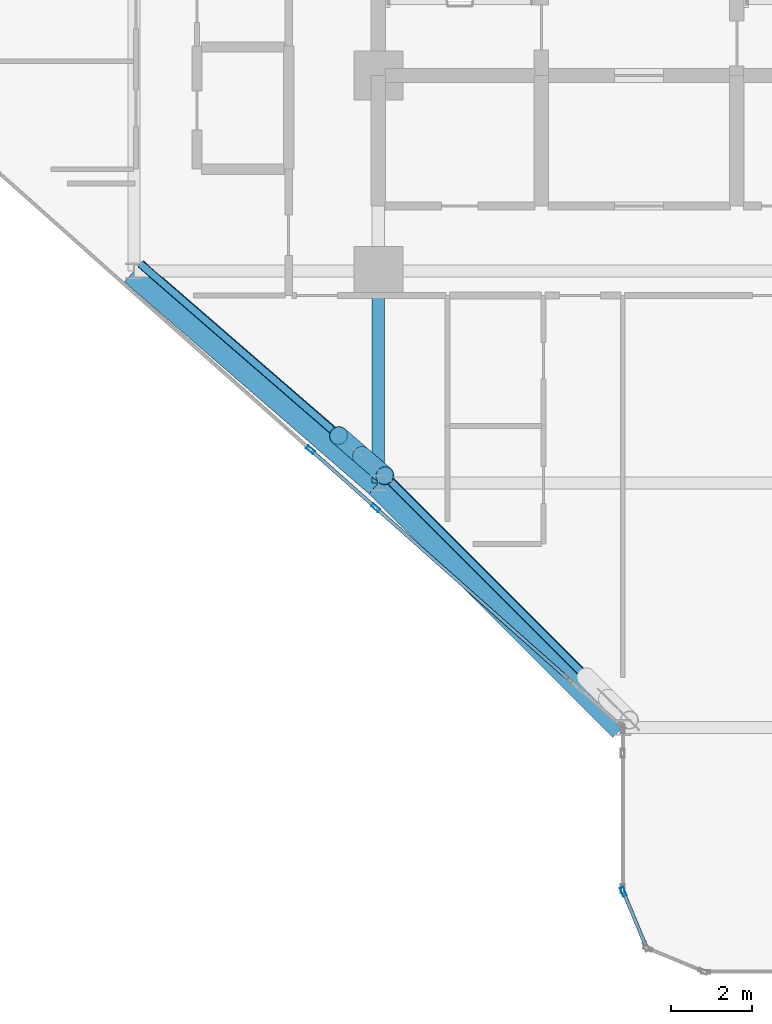
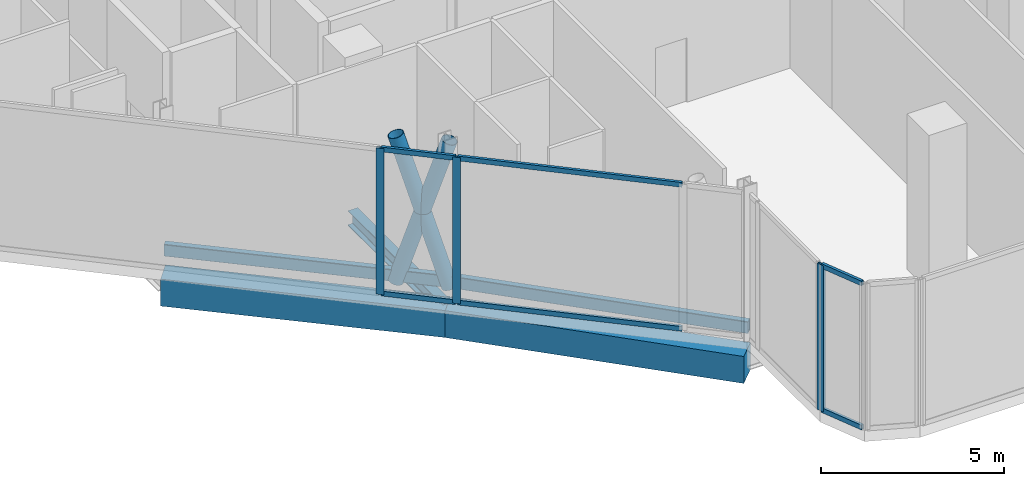
# One storey, part 3 of 36: 14 members, 3 beams, 3 elements without a shape of their own.
"""IFC4 building model written with IfcOpenShell, lengths in metres."""

from ifc_helpers import new_model, si_unit, direction, frame, origin, origin_2d, place, context, subcontext, project, spatial, rectangle, hollow_rectangle, hollow_circle, i_section, extrude, material, layer, layer_set, material_profile, profile_set, type_object, element, aggregate, save


model = new_model("IFC4")

# Units and contexts
model_context = context("Model", 3, precision=1e-05, world=origin(), true_north=direction((0.0, 1.0)))
body_context = subcontext(model_context, "Body", "Model", "MODEL_VIEW")
ifc_project = project(units=[si_unit("LENGTHUNIT", "METRE"), si_unit("AREAUNIT", "SQUARE_METRE"), si_unit("VOLUMEUNIT", "CUBIC_METRE"), si_unit("PLANEANGLEUNIT", "RADIAN"), si_unit("MASSUNIT", "GRAM", prefix="KILO")], contexts=[model_context])

# Site, building, storey
site_placement = place(None, origin())
site = spatial("IfcSite", under=ifc_project, at=site_placement, CompositionType="ELEMENT")
building_placement = place(site_placement, origin())
building = spatial("IfcBuilding", under=site, at=building_placement, Name="Keshet Zoharim Tower", CompositionType="ELEMENT")
storey_placement = place(building_placement, frame((0.0, 0.0, 81.199951171875)))
storey = spatial("IfcBuildingStorey", under=building, at=storey_placement, Name="L19", CompositionType="ELEMENT", Elevation=81.199951171875)

# Beams
ifc_material_1 = material(Name="Concrete C60/75", Category="concrete")
ifc_material_profile_1 = material_profile(ifc_material_1, rectangle(XDim=0.699951171875, YDim=0.89990234375, at=origin_2d()), Name="RC900x700")
ifc_profile_set_1 = profile_set([ifc_material_profile_1], Name="Concrete C60/75")
beam_type_1 = type_object("IfcBeamType", Name="BM-SPN-900", PredefinedType="SPANDREL", material=ifc_profile_set_1)
beam_1_placement = place(storey_placement, frame((21.0, 6.699951171875, -0.869873046875), z_axis=(-0.707106781187, 0.707106781187, 0.0), x_axis=(-0.707106781187, -0.707106781187, 0.0)))
element("IfcBeam", 1, at=beam_1_placement, inside=storey, type_object=beam_type_1, Name="L19 Perimeter Spandrel Beam 01", PredefinedType="SPANDREL", context=body_context, shape_type="SweptSolid", body=[
    extrude(rectangle(XDim=0.699951171875, YDim=0.89990234375, at=origin_2d()), origin(), (0.0, 0.0, 1.0), 8.4853515625),
])
beam_2_placement = place(storey_placement, frame((9.0, 17.89990234375, -0.869873046875), z_axis=(0.755692126483, -0.654927026447, 0.0), x_axis=(0.654927026447, 0.755692126483, 0.0)))
element("IfcBeam", 2, at=beam_2_placement, inside=storey, type_object=beam_type_1, Name="L19 Perimeter Spandrel Beam 02", PredefinedType="SPANDREL", context=body_context, shape_type="SweptSolid", body=[
    extrude(rectangle(XDim=0.699951171875, YDim=0.89990234375, at=origin_2d()), origin(), (0.0, 0.0, 1.0), 7.939697265625),
])
ifc_material_2 = material(Name="Steel S355", Category="steel")
ifc_material_profile_2 = material_profile(ifc_material_2, i_section(OverallWidth=0.300048828125, OverallDepth=0.5, WebThickness=0.014404296875, FlangeThickness=0.028076171875, FilletRadius=0.027099609375, at=origin_2d()), Name="HEB500")
ifc_profile_set_2 = profile_set([ifc_material_profile_2], Name="Steel S355")
beam_type_2 = type_object("IfcBeamType", Name="BM-WEB-HB500", PredefinedType="BEAM", material=ifc_profile_set_2)
beam_3_placement = place(storey_placement, frame((15.0, 12.699951171875, -0.669921875), z_axis=(0.0, 1.0, 0.0), x_axis=(-1.0, 0.0, 0.0)))
element("IfcBeam", 3, at=beam_3_placement, inside=storey, type_object=beam_type_2, Name="L19 Primary Girder Y-002", PredefinedType="BEAM", context=body_context, shape_type="SweptSolid", body=[
    extrude(i_section(OverallWidth=0.300048828125, OverallDepth=0.5, WebThickness=0.014404296875, FlangeThickness=0.028076171875, FilletRadius=0.027099609375, at=origin_2d()), origin(), (0.0, 0.0, 1.0), 5.199951171875),
])

# Curtain wall, member
ifc_material_3 = material(Name="Aluminium 6063-T6", Category="aluminium")
ifc_layer = layer(ifc_material_3, 0.179931640625)
ifc_layer_set = layer_set([ifc_layer], Name="Aluminium 6063-T6")
curtain_wall_type = type_object("IfcCurtainWallType", Name="CW-SYS-01", PredefinedType="NOTDEFINED", material=ifc_layer_set)
curtain_wall_1_placement = place(storey_placement, origin())
curtain_wall_1 = element("IfcCurtainWall", 4, at=curtain_wall_1_placement, inside=storey, type_object=curtain_wall_type, Name="L19 Unitised Curtain Wall 01 Part 2", PredefinedType="NOTDEFINED")
ifc_material_profile_3 = material_profile(ifc_material_3, hollow_rectangle(XDim=0.090087890625, YDim=0.219970703125, WallThickness=0.0048828125, at=origin_2d()), Name="MUL-90x220")
ifc_profile_set_3 = profile_set([ifc_material_profile_3], Name="Aluminium 6063-T6")
member_type_1 = type_object("IfcMemberType", Name="CWM-M22", PredefinedType="MULLION", material=ifc_profile_set_3)
member_1_placement = place(storey_placement, frame((14.93310546875, 12.0927734375, 0.0), z_axis=(0.0, 0.0, 1.0), x_axis=(-0.664360899887, -0.747411931067, 0.0)))
member_1 = element("IfcMember", 5, at=member_1_placement, type_object=member_type_1, Name="CW-01 mullion 2", PredefinedType="MULLION", context=body_context, shape_type="SweptSolid", body=[
    extrude(hollow_rectangle(XDim=0.090087890625, YDim=0.219970703125, WallThickness=0.0048828125, at=origin_2d()), origin(), (0.0, 0.0, 1.0), 4.885009765625),
])

curtain_wall_2_placement = place(storey_placement, origin())
curtain_wall_2 = element("IfcCurtainWall", 6, at=curtain_wall_2_placement, inside=storey, type_object=curtain_wall_type, Name="L19 Unitised Curtain Wall 01 Part 3", PredefinedType="NOTDEFINED")
member_2_placement = place(storey_placement, frame((13.3359375, 13.512451171875, 0.0), z_axis=(0.0, 0.0, 1.0), x_axis=(-0.664352219793, -0.747419646555, 0.0)))
member_2 = element("IfcMember", 7, at=member_2_placement, type_object=member_type_1, Name="CW-01 mullion 2", PredefinedType="MULLION", context=body_context, shape_type="SweptSolid", body=[
    extrude(hollow_rectangle(XDim=0.090087890625, YDim=0.219970703125, WallThickness=0.0048828125, at=origin_2d()), origin(), (0.0, 0.0, 1.0), 4.885009765625),
])

curtain_wall_3_placement = place(storey_placement, origin())
curtain_wall_3 = element("IfcCurtainWall", 8, at=curtain_wall_3_placement, inside=storey, type_object=curtain_wall_type, Name="L19 Unitised Curtain Wall 28", PredefinedType="NOTDEFINED")
member_3_placement = place(storey_placement, frame((21.013427734375, 2.667724609375, 0.0), z_axis=(0.0, 0.0, 1.0), x_axis=(-0.92380975372, -0.382851849847, 0.0)))
member_3 = element("IfcMember", 9, at=member_3_placement, type_object=member_type_1, Name="CW-01 mullion 2", PredefinedType="MULLION", context=body_context, shape_type="SweptSolid", body=[
    extrude(hollow_rectangle(XDim=0.090087890625, YDim=0.219970703125, WallThickness=0.0048828125, at=origin_2d()), origin(), (0.0, 0.0, 1.0), 4.885009765625),
])

# Member
ifc_material_profile_4 = material_profile(ifc_material_3, hollow_rectangle(XDim=0.0849609375, YDim=0.159912109375, WallThickness=0.00439453125, at=origin_2d()), Name="TRN-85x160")
ifc_profile_set_4 = profile_set([ifc_material_profile_4], Name="Aluminium 6063-T6")
member_type_2 = type_object("IfcMemberType", Name="CWT-T16", PredefinedType="USERDEFINED", material=ifc_profile_set_4)
member_4_placement = place(storey_placement, frame((19.642333984375, 7.90673828125, 0.03515625), z_axis=(-0.747402869474, 0.66437109412, 0.0), x_axis=(-0.66437109412, -0.747402869474, 0.0)))
member_4 = element("IfcMember", 10, at=member_4_placement, type_object=member_type_2, Name="CW-01 transom 1.1", ObjectType="TRANSOM", PredefinedType="USERDEFINED", context=body_context, shape_type="SweptSolid", body=[
    extrude(hollow_rectangle(XDim=0.0849609375, YDim=0.159912109375, WallThickness=0.00439453125, at=origin_2d()), origin(), (0.0, 0.0, 1.0), 6.265869140625),
])

member_5_placement = place(storey_placement, frame((19.642333984375, 7.90673828125, 4.85009765625), z_axis=(-0.747402869474, 0.66437109412, 0.0), x_axis=(-0.66437109412, -0.747402869474, 0.0)))
member_5 = element("IfcMember", 11, at=member_5_placement, type_object=member_type_2, Name="CW-01 transom 1.2", ObjectType="TRANSOM", PredefinedType="USERDEFINED", context=body_context, shape_type="SweptSolid", body=[
    extrude(hollow_rectangle(XDim=0.0849609375, YDim=0.159912109375, WallThickness=0.00439453125, at=origin_2d()), origin(), (0.0, 0.0, 1.0), 6.265869140625),
])

aggregate(curtain_wall_1, [member_1, member_4, member_5])

member_6_placement = place(storey_placement, frame((14.906982421875, 12.1162109375, 0.03515625), z_axis=(-0.747461451973, 0.664305184244, 0.0), x_axis=(-0.664305184244, -0.747461451973, 0.0)))
member_6 = element("IfcMember", 12, at=member_6_placement, type_object=member_type_2, Name="CW-01 transom 1.1", ObjectType="TRANSOM", PredefinedType="USERDEFINED", context=body_context, shape_type="SweptSolid", body=[
    extrude(hollow_rectangle(XDim=0.0849609375, YDim=0.159912109375, WallThickness=0.00439453125, at=origin_2d()), origin(), (0.0, 0.0, 1.0), 2.06689453125),
])

member_7_placement = place(storey_placement, frame((14.906982421875, 12.1162109375, 4.85009765625), z_axis=(-0.747461451973, 0.664305184244, 0.0), x_axis=(-0.664305184244, -0.747461451973, 0.0)))
member_7 = element("IfcMember", 13, at=member_7_placement, type_object=member_type_2, Name="CW-01 transom 1.2", ObjectType="TRANSOM", PredefinedType="USERDEFINED", context=body_context, shape_type="SweptSolid", body=[
    extrude(hollow_rectangle(XDim=0.0849609375, YDim=0.159912109375, WallThickness=0.00439453125, at=origin_2d()), origin(), (0.0, 0.0, 1.0), 2.06689453125),
])

aggregate(curtain_wall_2, [member_2, member_6, member_7])

member_8_placement = place(storey_placement, frame((21.55908203125, 1.3505859375, 0.03515625), z_axis=(-0.382744609247, 0.923854189844, 0.0), x_axis=(-0.923854189844, -0.382744609247, 0.0)))
member_8 = element("IfcMember", 14, at=member_8_placement, type_object=member_type_2, Name="CW-01 transom 1.1", ObjectType="TRANSOM", PredefinedType="USERDEFINED", context=body_context, shape_type="SweptSolid", body=[
    extrude(hollow_rectangle(XDim=0.0849609375, YDim=0.159912109375, WallThickness=0.00439453125, at=origin_2d()), origin(), (0.0, 0.0, 1.0), 1.390625),
])

member_9_placement = place(storey_placement, frame((21.55908203125, 1.3505859375, 4.85009765625), z_axis=(-0.382744609247, 0.923854189844, 0.0), x_axis=(-0.923854189844, -0.382744609247, 0.0)))
member_9 = element("IfcMember", 15, at=member_9_placement, type_object=member_type_2, Name="CW-01 transom 1.2", ObjectType="TRANSOM", PredefinedType="USERDEFINED", context=body_context, shape_type="SweptSolid", body=[
    extrude(hollow_rectangle(XDim=0.0849609375, YDim=0.159912109375, WallThickness=0.00439453125, at=origin_2d()), origin(), (0.0, 0.0, 1.0), 1.390625),
])

aggregate(curtain_wall_3, [member_3, member_8, member_9])

# Members
ifc_material_profile_5 = material_profile(ifc_material_2, hollow_circle(Radius=0.228515625, WallThickness=0.01611328125, at=origin_2d()), Name="CHS457x16")
ifc_profile_set_5 = profile_set([ifc_material_profile_5], Name="Steel S355")
member_type_3 = type_object("IfcMemberType", Name="MB-BELT-C457", PredefinedType="BRACE", material=ifc_profile_set_5)
member_10_placement = place(storey_placement, frame((15.158935546875, 12.87890625, 0.0), z_axis=(-0.221916126923, 0.192199909281, 0.955935367838), x_axis=(-0.654682683488, -0.75590381924, 0.0)))
element("IfcMember", 16, at=member_10_placement, inside=storey, type_object=member_type_3, Name="L19 Perimeter Belt Truss Continuous Diagonal A02", PredefinedType="BRACE", context=body_context, shape_type="SweptSolid", body=[
    extrude(hollow_circle(Radius=0.228515625, WallThickness=0.01611328125, at=origin_2d()), origin(), (0.0, 0.0, 1.0), 5.110107421875),
])
member_11_placement = place(storey_placement, frame((14.02490234375, 13.861083984375, 0.0), z_axis=(0.221953449942, -0.192143085593, 0.955938125988), x_axis=(0.654509150083, 0.756054080379, 0.0)))
element("IfcMember", 17, at=member_11_placement, inside=storey, type_object=member_type_3, Name="L19 Perimeter Belt Truss Split Diagonal B1-02", PredefinedType="BRACE", context=body_context, shape_type="SweptSolid", body=[
    extrude(hollow_circle(Radius=0.228515625, WallThickness=0.01611328125, at=origin_2d()), origin(), (0.0, 0.0, 1.0), 2.55517578125),
])
member_12_placement = place(storey_placement, frame((14.592041015625, 13.3701171875, 2.442626953125), z_axis=(0.221878799362, -0.192256737431, 0.955932605002), x_axis=(0.654856188112, 0.755753513318, 0.0)))
element("IfcMember", 18, at=member_12_placement, inside=storey, type_object=member_type_3, Name="L19 Perimeter Belt Truss Split Diagonal B2-02", PredefinedType="BRACE", context=body_context, shape_type="SweptSolid", body=[
    extrude(hollow_circle(Radius=0.228515625, WallThickness=0.01611328125, at=origin_2d()), origin(), (0.0, 0.0, 1.0), 2.554931640625),
])
ifc_material_profile_6 = material_profile(ifc_material_2, hollow_rectangle(XDim=0.199951171875, YDim=0.39990234375, WallThickness=0.01611328125, InnerFilletRadius=0.01611328125, OuterFilletRadius=0.02392578125, at=origin_2d()), Name="RHS400x200x16")
ifc_profile_set_6 = profile_set([ifc_material_profile_6], Name="Steel S355")
member_type_4 = type_object("IfcMemberType", Name="MB-CHD-R400", PredefinedType="CHORD", material=ifc_profile_set_6)
member_13_placement = place(storey_placement, frame((21.158935546875, 6.87890625, 0.199951171875), z_axis=(-0.707106781187, 0.707106781187, 0.0), x_axis=(-0.707106781187, -0.707106781187, 0.0)))
element("IfcMember", 19, at=member_13_placement, inside=storey, type_object=member_type_4, Name="L19 Perimeter Belt Truss Chord B01", PredefinedType="CHORD", context=body_context, shape_type="SweptSolid", body=[
    extrude(hollow_rectangle(XDim=0.199951171875, YDim=0.39990234375, WallThickness=0.01611328125, InnerFilletRadius=0.01611328125, OuterFilletRadius=0.02392578125, at=origin_2d()), origin(), (0.0, 0.0, 1.0), 8.4853515625),
])
member_14_placement = place(storey_placement, frame((15.158935546875, 12.87890625, 0.199951171875), z_axis=(-0.755676908098, 0.654944585876, 0.0), x_axis=(-0.654944585876, -0.755676908098, 0.0)))
element("IfcMember", 20, at=member_14_placement, inside=storey, type_object=member_type_4, Name="L19 Perimeter Belt Truss Chord B02", PredefinedType="CHORD", context=body_context, shape_type="SweptSolid", body=[
    extrude(hollow_rectangle(XDim=0.199951171875, YDim=0.39990234375, WallThickness=0.01611328125, InnerFilletRadius=0.01611328125, OuterFilletRadius=0.02392578125, at=origin_2d()), origin(), (0.0, 0.0, 1.0), 7.93994140625),
])

save(model, "model.ifc")
